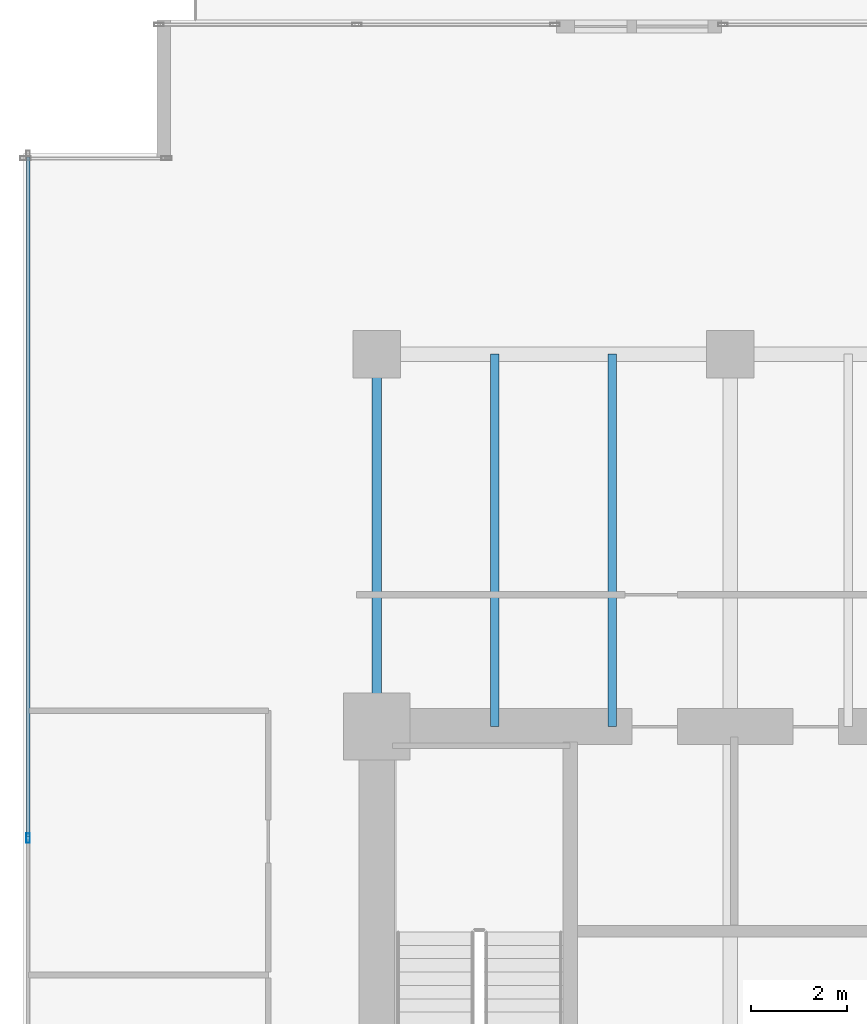
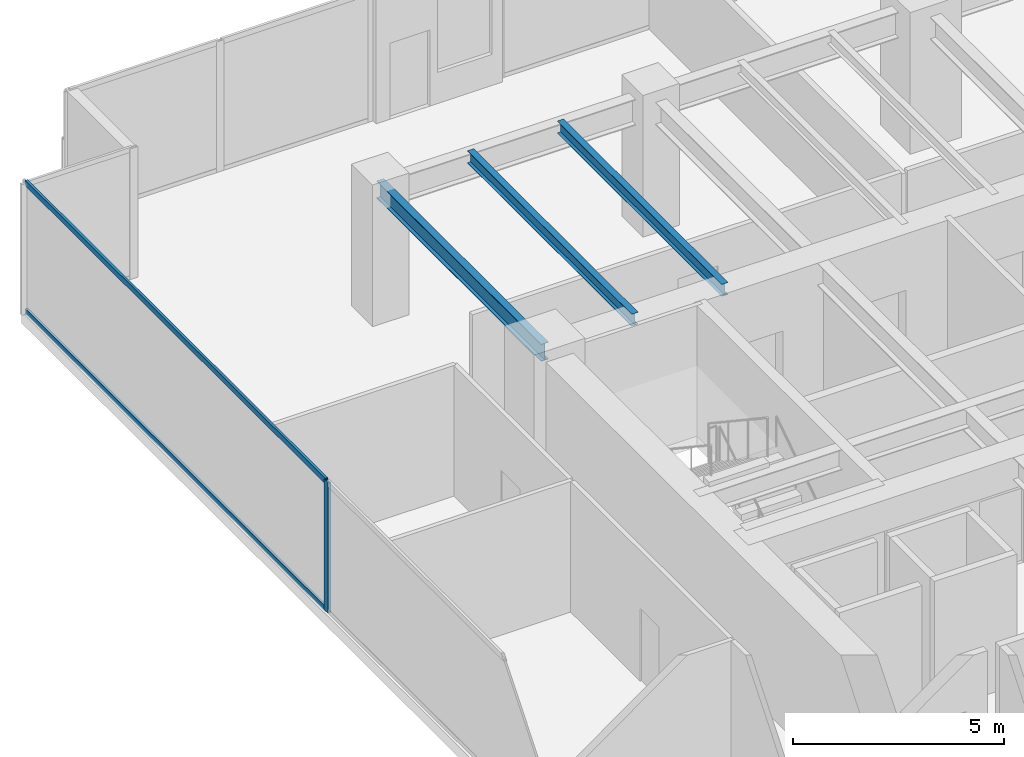
# One storey, part 12 of 31: 3 beams, 3 members, 1 element without a shape of its own.
"""IFC4 building model written with IfcOpenShell, lengths in metres."""

from ifc_helpers import new_model, si_unit, direction, frame, origin, origin_2d, place, context, subcontext, project, spatial, hollow_rectangle, i_section, extrude, source, transform, mapped, material, layer, layer_set, material_profile, profile_set, type_object, type_shapes, element, aggregate, save


model = new_model("IFC4")

# Units and contexts
model_context = context("Model", 3, precision=1e-05, world=origin(), true_north=direction((0.0, 1.0)))
body_context = subcontext(model_context, "Body", "Model", "MODEL_VIEW")
ifc_project = project(units=[si_unit("LENGTHUNIT", "METRE"), si_unit("AREAUNIT", "SQUARE_METRE"), si_unit("VOLUMEUNIT", "CUBIC_METRE"), si_unit("PLANEANGLEUNIT", "RADIAN"), si_unit("MASSUNIT", "GRAM", prefix="KILO")], contexts=[model_context])

# Site, building, storey
site_placement = place(None, origin())
site = spatial("IfcSite", under=ifc_project, at=site_placement, CompositionType="ELEMENT")
building_placement = place(site_placement, origin())
building = spatial("IfcBuilding", under=site, at=building_placement, Name="Haelvirn Gate Laboratories", CompositionType="ELEMENT")
storey_placement = place(building_placement, frame((0.0, 0.0, 62.10009765625)))
storey = spatial("IfcBuildingStorey", under=building, at=storey_placement, Name="L15", CompositionType="ELEMENT", Elevation=62.10009765625)

# Beams
ifc_material_1 = material(Name="Steel SM355", Category="steel")
ifc_material_profile_1 = material_profile(ifc_material_1, i_section(OverallWidth=0.199951171875, OverallDepth=0.5, WebThickness=0.010009765625, FlangeThickness=0.01611328125, at=origin_2d()), Name="H-500x200x10x16")
ifc_profile_set_1 = profile_set([ifc_material_profile_1], Name="Steel SM355")
beam_type_1 = type_object("IfcBeamType", Name="BM-SP-500", PredefinedType="SPANDREL", material=ifc_profile_set_1)
shared_shape_1 = source(origin(), body_context, "Body", "SweptSolid", [
    extrude(i_section(OverallWidth=0.199951171875, OverallDepth=0.5, WebThickness=0.010009765625, FlangeThickness=0.01611328125, at=origin_2d()), origin(), (0.0, 0.0, 1.0), 7.800048828125),
])
type_shapes(beam_type_1, [shared_shape_1])
beam_placement = place(storey_placement, frame((7.39990234375, 33.800048828125, 3.52978515625), z_axis=(0.0, 1.0, 0.0), x_axis=(-1.0, 0.0, 0.0)))
element("IfcBeam", 1, at=beam_placement, inside=storey, type_object=beam_type_1, Name="L15 Perimeter Spandrel X7.4 (33.8-41.6)", PredefinedType="SPANDREL", context=body_context, shape_type="MappedRepresentation", body=[
    mapped(shared_shape_1, transform((0.0, 0.0, 0.0), scale=1.0)),
])
ifc_material_profile_2 = material_profile(ifc_material_1, i_section(OverallWidth=0.175048828125, OverallDepth=0.35009765625, WebThickness=0.007080078125, FlangeThickness=0.010986328125, at=origin_2d()), Name="H-350x175x7x11")
ifc_profile_set_2 = profile_set([ifc_material_profile_2], Name="Steel SM355")
beam_type_2 = type_object("IfcBeamType", Name="BM-J-350", PredefinedType="JOIST", material=ifc_profile_set_2)
shared_shape_2 = source(origin(), body_context, "Body", "SweptSolid", [
    extrude(i_section(OverallWidth=0.175048828125, OverallDepth=0.35009765625, WebThickness=0.007080078125, FlangeThickness=0.010986328125, at=origin_2d()), origin(), (0.0, 0.0, 1.0), 7.800048828125),
])
type_shapes(beam_type_2, [shared_shape_2])
for number, where, z_axis, x_axis, name in (
    (2, (9.8701171875, 33.800048828125, 3.60498046875), (0.0, 1.0, 0.0), (-1.0, 0.0, 0.0), "L15 Composite Lab Joist North X9.87"),
    (3, (12.330078125, 33.800048828125, 3.60498046875), (0.0, 1.0, 0.0), (-1.0, 0.0, 0.0), "L15 Composite Lab Joist North X12.33"),
):
    element("IfcBeam", number, at=place(storey_placement, frame(where, z_axis=z_axis, x_axis=x_axis)), inside=storey, type_object=beam_type_2, Name=name, PredefinedType="JOIST", context=body_context, shape_type="MappedRepresentation", body=[
        mapped(shared_shape_2, transform((0.0, 0.0, 0.0), scale=1.0)),
    ])

# Curtain wall, members
ifc_material_2 = material(Name="Anodised bronze unitised aluminium & triple low-E glass", Category="aluminium")
ifc_layer = layer(ifc_material_2, 0.18408203125, Name="CW-SYS-2")
ifc_layer_set = layer_set([ifc_layer], Name="Anodised bronze unitised aluminium & triple low-E glass")
curtain_wall_type = type_object("IfcCurtainWallType", Name="CW-SYS-2", PredefinedType="NOTDEFINED", material=ifc_layer_set)
curtain_wall_placement = place(storey_placement, origin())
curtain_wall = element("IfcCurtainWall", 4, at=curtain_wall_placement, inside=storey, type_object=curtain_wall_type, Name="L15 Unitised Curtain Wall CW-L15-P0-E17", PredefinedType="NOTDEFINED")
ifc_material_3 = material(Name="Extruded aluminium 6063-T6 (anodised bronze)", Category="aluminium")
ifc_material_profile_3 = material_profile(ifc_material_3, hollow_rectangle(XDim=0.070068359375, YDim=0.159912109375, WallThickness=0.0048828125, at=origin_2d()), Name="CWT-160x70x5")
ifc_profile_set_3 = profile_set([ifc_material_profile_3], Name="Extruded aluminium 6063-T6 (anodised bronze)")
member_type_1 = type_object("IfcMemberType", Name="CWT-T160", PredefinedType="USERDEFINED", material=ifc_profile_set_3)
shared_shape_3 = source(origin(), body_context, "Body", "SweptSolid", [
    extrude(hollow_rectangle(XDim=0.070068359375, YDim=0.159912109375, WallThickness=0.0048828125, at=origin_2d()), origin(), (0.0, 0.0, 1.0), 14.220947265625),
])
type_shapes(member_type_1, [shared_shape_3])
member_1_placement = place(storey_placement, frame((0.10009765625, 45.72509765625, 0.034912109375), z_axis=(0.0, -1.0, 0.0), x_axis=(1.0, 0.0, 0.0)))
member_1 = element("IfcMember", 5, at=member_1_placement, type_object=member_type_1, Name="CW2 transom 1.1", ObjectType="TRANSOM", PredefinedType="USERDEFINED", context=body_context, shape_type="MappedRepresentation", body=[
    mapped(shared_shape_3, transform((0.0, 0.0, 0.0), scale=1.0)),
])
member_2_placement = place(storey_placement, frame((0.10009765625, 45.72509765625, 3.744873046875), z_axis=(0.0, -1.0, 0.0), x_axis=(1.0, 0.0, 0.0)))
member_2 = element("IfcMember", 6, at=member_2_placement, type_object=member_type_1, Name="CW2 transom 1.2", ObjectType="TRANSOM", PredefinedType="USERDEFINED", context=body_context, shape_type="MappedRepresentation", body=[
    mapped(shared_shape_3, transform((0.0, 0.0, 0.0), scale=1.0)),
])
ifc_material_profile_4 = material_profile(ifc_material_3, hollow_rectangle(XDim=0.074951171875, YDim=0.199951171875, WallThickness=0.0048828125, at=origin_2d()), Name="CWM-200x75x5")
ifc_profile_set_4 = profile_set([ifc_material_profile_4], Name="Extruded aluminium 6063-T6 (anodised bronze)")
member_type_2 = type_object("IfcMemberType", Name="CWM-T200", PredefinedType="MULLION", material=ifc_profile_set_4)
shared_shape_4 = source(origin(), body_context, "Body", "SweptSolid", [
    extrude(hollow_rectangle(XDim=0.074951171875, YDim=0.199951171875, WallThickness=0.0048828125, at=origin_2d()), origin(), (0.0, 0.0, 1.0), 3.77978515625),
])
type_shapes(member_type_2, [shared_shape_4])
member_3_placement = place(storey_placement, frame((0.10009765625, 31.466552734375, 0.0), z_axis=(0.0, 0.0, 1.0), x_axis=(1.0, 0.0, 0.0)))
member_3 = element("IfcMember", 7, at=member_3_placement, type_object=member_type_2, Name="CW2 mullion 2", PredefinedType="MULLION", context=body_context, shape_type="MappedRepresentation", body=[
    mapped(shared_shape_4, transform((0.0, 0.0, 0.0), scale=1.0)),
])
aggregate(curtain_wall, [member_3, member_1, member_2])

save(model, "model.ifc")
